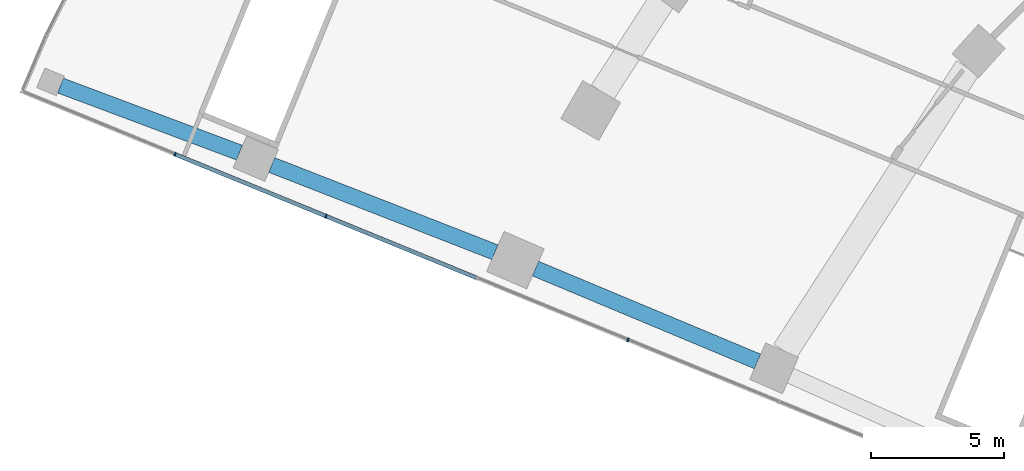
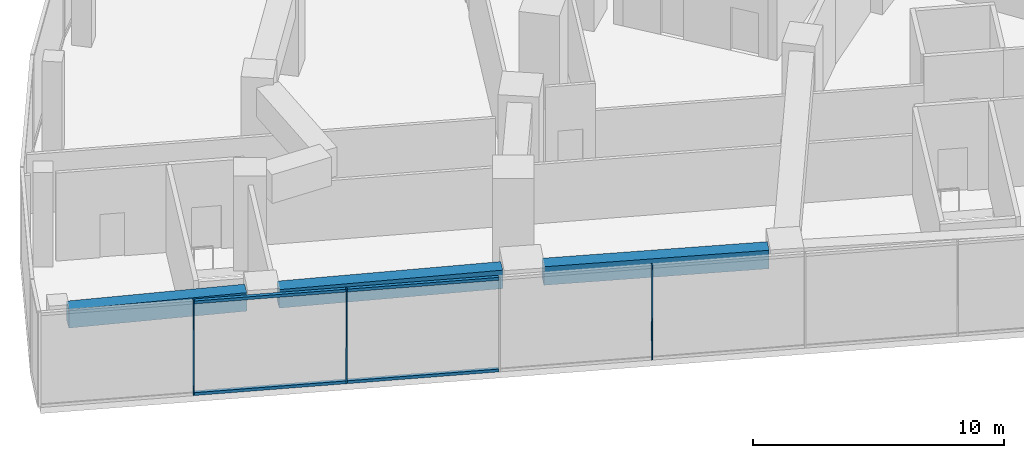
# One storey, part 2 of 33: 7 members, 3 beams, 1 element without a shape of its own.
"""IFC4 building model written with IfcOpenShell, lengths in metres."""

from ifc_helpers import new_model, si_unit, direction, frame, origin, origin_2d, place, context, subcontext, project, spatial, rectangle, extrude, material, layer, layer_set, material_profile, profile_set, type_object, element, aggregate, save


model = new_model("IFC4")

# Units and contexts
model_context = context("Model", 3, precision=1e-05, world=origin(), true_north=direction((0.0, 1.0)))
body_context = subcontext(model_context, "Body", "Model", "MODEL_VIEW")
ifc_project = project(units=[si_unit("LENGTHUNIT", "METRE"), si_unit("AREAUNIT", "SQUARE_METRE"), si_unit("VOLUMEUNIT", "CUBIC_METRE"), si_unit("PLANEANGLEUNIT", "RADIAN"), si_unit("MASSUNIT", "GRAM", prefix="KILO")], contexts=[model_context])

# Site, building, storey
site_placement = place(None, origin())
site = spatial("IfcSite", under=ifc_project, at=site_placement, CompositionType="ELEMENT")
building_placement = place(site_placement, origin())
building = spatial("IfcBuilding", under=site, at=building_placement, Name="Stone Belt Terrace Tower", CompositionType="ELEMENT")
storey_placement = place(building_placement, frame((0.0, 0.0, 25.39990234375)))
storey = spatial("IfcBuildingStorey", under=building, at=storey_placement, Name="L05", CompositionType="ELEMENT", Elevation=25.39990234375)

# Curtain wall, members
ifc_material_1 = material(Name="Aluminium 6063-T6 anodised frame", Category="aluminium")
ifc_layer = layer(ifc_material_1, 0.14990234375)
ifc_layer_set = layer_set([ifc_layer], Name="CW-D podium shopfront")
curtain_wall_type = type_object("IfcCurtainWallType", Name="CW-D podium shopfront", PredefinedType="NOTDEFINED", material=ifc_layer_set)
curtain_wall_placement = place(storey_placement, origin())
curtain_wall = element("IfcCurtainWall", 1, at=curtain_wall_placement, inside=storey, type_object=curtain_wall_type, Name="CW-D end face L05", PredefinedType="NOTDEFINED")
ifc_material_profile_1 = material_profile(ifc_material_1, rectangle(XDim=0.14990234375, YDim=0.06005859375, at=origin_2d()), Name="Aluminium 6063-T6 60x150")
ifc_profile_set_1 = profile_set([ifc_material_profile_1], Name="Aluminium 6063-T6 anodised frame")
member_type_1 = type_object("IfcMemberType", Name="CW-D mullion 60 x 150", PredefinedType="MULLION", material=ifc_profile_set_1)
member_1_placement = place(storey_placement, frame((-63.279052734375, 25.8544921875, 0.0), z_axis=(0.0, 0.0, 1.0), x_axis=(0.379243093825, 0.925297074342, 0.0)))
member_1 = element("IfcMember", 2, at=member_1_placement, type_object=member_type_1, Name="CW-D mullion 2", PredefinedType="MULLION", context=body_context, shape_type="SweptSolid", body=[
    extrude(rectangle(XDim=0.14990234375, YDim=0.06005859375, at=origin_2d()), origin(), (0.0, 0.0, 1.0), 4.60009765625),
])
member_2_placement = place(storey_placement, frame((-57.59521484375, 23.52490234375, 0.0), z_axis=(0.0, 0.0, 1.0), x_axis=(0.379243093825, 0.925297074342, 0.0)))
member_2 = element("IfcMember", 3, at=member_2_placement, type_object=member_type_1, Name="CW-D mullion 3", PredefinedType="MULLION", context=body_context, shape_type="SweptSolid", body=[
    extrude(rectangle(XDim=0.14990234375, YDim=0.06005859375, at=origin_2d()), origin(), (0.0, 0.0, 1.0), 4.60009765625),
])
member_3_placement = place(storey_placement, frame((-46.227294921875, 18.86572265625, 0.0), z_axis=(0.0, 0.0, 1.0), x_axis=(0.379243093825, 0.925297074342, 0.0)))
member_3 = element("IfcMember", 4, at=member_3_placement, type_object=member_type_1, Name="CW-D mullion 5", PredefinedType="MULLION", context=body_context, shape_type="SweptSolid", body=[
    extrude(rectangle(XDim=0.14990234375, YDim=0.06005859375, at=origin_2d()), origin(), (0.0, 0.0, 1.0), 4.60009765625),
])
ifc_material_profile_2 = material_profile(ifc_material_1, rectangle(XDim=0.14990234375, YDim=0.139892578125, at=origin_2d()), Name="Aluminium 6063-T6 150x140")
ifc_profile_set_2 = profile_set([ifc_material_profile_2], Name="Aluminium 6063-T6 anodised frame")
member_type_2 = type_object("IfcMemberType", Name="CW-D transom 140 x 150", PredefinedType="USERDEFINED", material=ifc_profile_set_2)
member_4_placement = place(storey_placement, frame((-63.25146484375, 25.84326171875, 0.070068359375), z_axis=(0.925301906439, -0.37923130401, 0.0), x_axis=(0.37923130401, 0.925301906439, 0.0)))
member_4 = element("IfcMember", 5, at=member_4_placement, type_object=member_type_2, Name="CW-D transom 2.1", ObjectType="TRANSOM", PredefinedType="USERDEFINED", context=body_context, shape_type="SweptSolid", body=[
    extrude(rectangle(XDim=0.14990234375, YDim=0.139892578125, at=origin_2d()), origin(), (0.0, 0.0, 1.0), 6.0830078125),
])
member_5_placement = place(storey_placement, frame((-63.25146484375, 25.84326171875, 4.530029296875), z_axis=(0.925301906439, -0.37923130401, 0.0), x_axis=(0.37923130401, 0.925301906439, 0.0)))
member_5 = element("IfcMember", 6, at=member_5_placement, type_object=member_type_2, Name="CW-D transom 2.2", ObjectType="TRANSOM", PredefinedType="USERDEFINED", context=body_context, shape_type="SweptSolid", body=[
    extrude(rectangle(XDim=0.14990234375, YDim=0.139892578125, at=origin_2d()), origin(), (0.0, 0.0, 1.0), 6.0830078125),
])
member_6_placement = place(storey_placement, frame((-57.5673828125, 23.513671875, 0.070068359375), z_axis=(0.925296134112, -0.379245387838, 0.0), x_axis=(0.379245387838, 0.925296134112, 0.0)))
member_6 = element("IfcMember", 7, at=member_6_placement, type_object=member_type_2, Name="CW-D transom 3.1", ObjectType="TRANSOM", PredefinedType="USERDEFINED", context=body_context, shape_type="SweptSolid", body=[
    extrude(rectangle(XDim=0.14990234375, YDim=0.139892578125, at=origin_2d()), origin(), (0.0, 0.0, 1.0), 6.082763671875),
])
member_7_placement = place(storey_placement, frame((-57.5673828125, 23.513671875, 4.530029296875), z_axis=(0.925296134112, -0.379245387838, 0.0), x_axis=(0.379245387838, 0.925296134112, 0.0)))
member_7 = element("IfcMember", 8, at=member_7_placement, type_object=member_type_2, Name="CW-D transom 3.2", ObjectType="TRANSOM", PredefinedType="USERDEFINED", context=body_context, shape_type="SweptSolid", body=[
    extrude(rectangle(XDim=0.14990234375, YDim=0.139892578125, at=origin_2d()), origin(), (0.0, 0.0, 1.0), 6.082763671875),
])
aggregate(curtain_wall, [member_1, member_2, member_3, member_4, member_5, member_6, member_7])

# Beams
ifc_material_2 = material(Name="Concrete B60", Category="concrete")
ifc_material_profile_3 = material_profile(ifc_material_2, rectangle(XDim=0.60009765625, YDim=0.89990234375, at=origin_2d()), Name="RC 600x900")
ifc_profile_set_3 = profile_set([ifc_material_profile_3], Name="Concrete B60")
beam_type = type_object("IfcBeamType", Name="Edge beam RC 600x900 B60", PredefinedType="SPANDREL", material=ifc_profile_set_3)
beam_1_placement = place(storey_placement, frame((-41.35009765625, 18.05517578125, 3.830078125), z_axis=(-0.922576038767, 0.385815309044, 0.0), x_axis=(-0.385815309044, -0.922576038767, 0.0)))
element("IfcBeam", 9, at=beam_1_placement, inside=storey, type_object=beam_type, Name="Edge beam L05 A P to Q", PredefinedType="SPANDREL", context=body_context, shape_type="SweptSolid", body=[
    extrude(rectangle(XDim=0.60009765625, YDim=0.89990234375, at=origin_2d()), origin(), (0.0, 0.0, 1.0), 9.055908203125),
])
beam_2_placement = place(storey_placement, frame((-51.235107421875, 22.167724609375, 3.830078125), z_axis=(-0.931488596429, 0.363770524813, 0.0), x_axis=(-0.363770524813, -0.931488596429, 0.0)))
element("IfcBeam", 10, at=beam_2_placement, inside=storey, type_object=beam_type, Name="Edge beam L05 A Q to R", PredefinedType="SPANDREL", context=body_context, shape_type="SweptSolid", body=[
    extrude(rectangle(XDim=0.60009765625, YDim=0.89990234375, at=origin_2d()), origin(), (0.0, 0.0, 1.0), 9.018798828125),
])
beam_3_placement = place(storey_placement, frame((-60.85107421875, 25.913330078125, 3.830078125), z_axis=(-0.936357063025, 0.351049071389, 0.0), x_axis=(-0.351049071389, -0.936357063025, 0.0)))
element("IfcBeam", 11, at=beam_3_placement, inside=storey, type_object=beam_type, Name="Edge beam L05 A R to S", PredefinedType="SPANDREL", context=body_context, shape_type="SweptSolid", body=[
    extrude(rectangle(XDim=0.60009765625, YDim=0.89990234375, at=origin_2d()), origin(), (0.0, 0.0, 1.0), 7.1953125),
])

save(model, "model.ifc")
